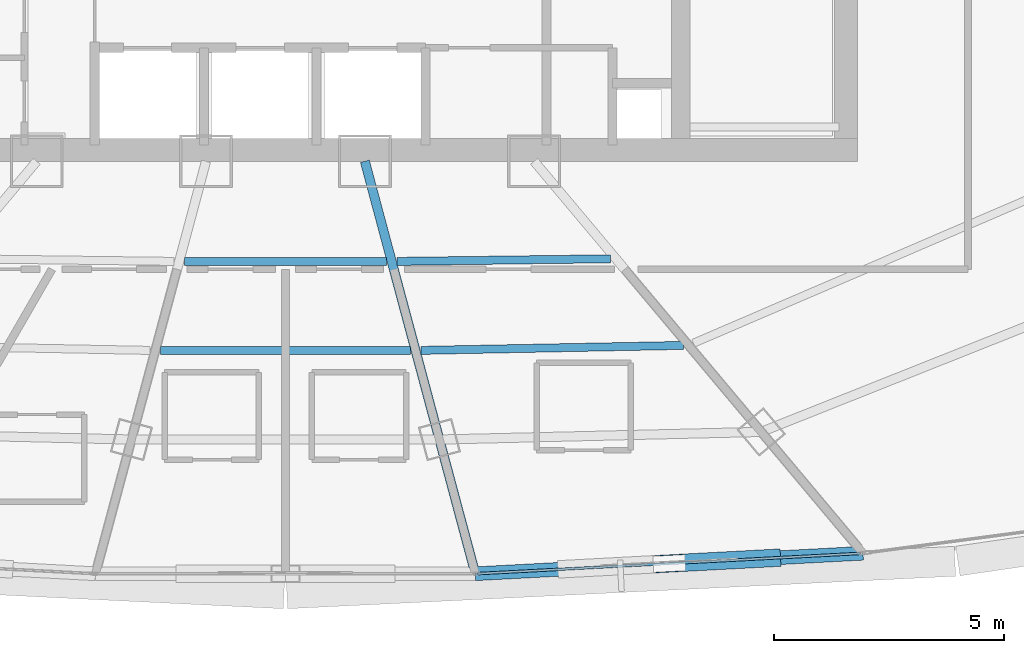
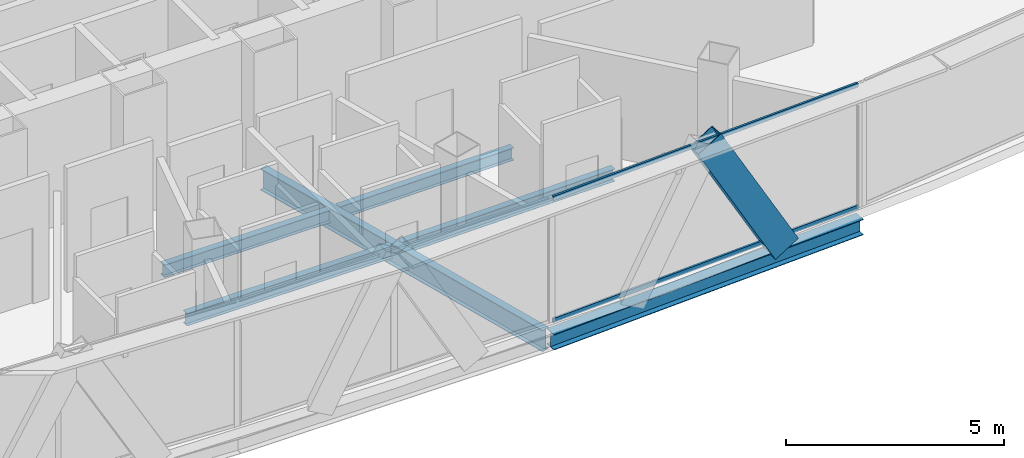
# One storey, part 11 of 37: 6 beams, 3 members, 1 element without a shape of its own.
"""IFC4 building model written with IfcOpenShell, lengths in metres."""

from ifc_helpers import new_model, si_unit, direction, frame, origin, origin_2d, place, context, subcontext, project, spatial, hollow_rectangle, i_section, extrude, source, transform, mapped, material, layer, layer_set, material_profile, profile_set, type_object, element, aggregate, save


model = new_model("IFC4")

# Units and contexts
model_context = context("Model", 3, precision=1e-05, world=origin(), true_north=direction((0.0, 1.0)))
body_context = subcontext(model_context, "Body", "Model", "MODEL_VIEW")
ifc_project = project(units=[si_unit("LENGTHUNIT", "METRE"), si_unit("AREAUNIT", "SQUARE_METRE"), si_unit("VOLUMEUNIT", "CUBIC_METRE"), si_unit("PLANEANGLEUNIT", "RADIAN"), si_unit("MASSUNIT", "GRAM", prefix="KILO"), si_unit("THERMODYNAMICTEMPERATUREUNIT", "KELVIN"), si_unit("POWERUNIT", "WATT")], contexts=[model_context])

# Site, building, storey
site_placement = place(None, origin())
site = spatial("IfcSite", under=ifc_project, at=site_placement, CompositionType="ELEMENT")
building_placement = place(site_placement, origin())
building = spatial("IfcBuilding", under=site, at=building_placement, Name="Yunzhuo Pagoda Commons", CompositionType="ELEMENT")
storey_placement = place(building_placement, frame((0.0, 0.0, 277.56005859375)))
storey = spatial("IfcBuildingStorey", under=building, at=storey_placement, Name="L69", CompositionType="ELEMENT", Elevation=277.56005859375)

# Beams
ifc_material_1 = material(Name="Structural steel Q355B", Category="steel")
ifc_material_profile_1 = material_profile(ifc_material_1, i_section(OverallWidth=0.300048828125, OverallDepth=0.43994140625, WebThickness=0.010986328125, FlangeThickness=0.01806640625, at=origin_2d()), Name="Structural steel Q355B")
ifc_profile_set_1 = profile_set([ifc_material_profile_1], Name="Structural steel Q355B")
beam_type_1 = type_object("IfcBeamType", Name="B-SP2 Beam HM 440x300x11x18", PredefinedType="BEAM", material=ifc_profile_set_1)
shared_shape_1 = source(origin(), body_context, "Body", "SweptSolid", [
    extrude(i_section(OverallWidth=0.300048828125, OverallDepth=0.43994140625, WebThickness=0.010986328125, FlangeThickness=0.01806640625, at=origin_2d()), origin(), (0.0, 0.0, 1.0), 8.447509765625),
])
beam_1_placement = place(storey_placement, frame((52.133056640625, 18.275390625, -0.47998046875), z_axis=(0.998606549518, 0.052772713206, 0.0), x_axis=(-0.052772713206, 0.998606549518, 0.0)))
element("IfcBeam", 1, at=beam_1_placement, inside=storey, type_object=beam_type_1, Name="L69 facade edge spandrel beam F1.3", PredefinedType="BEAM", context=body_context, shape_type="MappedRepresentation", body=[
    mapped(shared_shape_1, transform((0.0, 0.0, 0.0), scale=1.0)),
])
ifc_material_profile_2 = material_profile(ifc_material_1, i_section(OverallWidth=0.199951171875, OverallDepth=0.60009765625, WebThickness=0.010986328125, FlangeThickness=0.01708984375, at=origin_2d()), Name="Structural steel Q355B")
ifc_profile_set_2 = profile_set([ifc_material_profile_2], Name="Structural steel Q355B")
beam_type_2 = type_object("IfcBeamType", Name="B-RG3 Beam HN 600x200x11x17", PredefinedType="BEAM", material=ifc_profile_set_2)
shared_shape_2 = source(origin(), body_context, "Body", "SweptSolid", [
    extrude(i_section(OverallWidth=0.199951171875, OverallDepth=0.60009765625, WebThickness=0.010986328125, FlangeThickness=0.01708984375, at=origin_2d()), origin(), (0.0, 0.0, 1.0), 9.136474609375),
])
beam_2_placement = place(storey_placement, frame((52.093017578125, 18.4248046875, -0.56005859375), z_axis=(-0.258798416467, 0.965931353479, 0.0), x_axis=(-0.965931353479, -0.258798416467, 0.0)))
element("IfcBeam", 2, at=beam_2_placement, inside=storey, type_object=beam_type_2, Name="L69 radial floor girder F1C3", PredefinedType="BEAM", context=body_context, shape_type="MappedRepresentation", body=[
    mapped(shared_shape_2, transform((0.0, 0.0, 0.0), scale=1.0)),
])
ifc_material_profile_3 = material_profile(ifc_material_1, i_section(OverallWidth=0.175048828125, OverallDepth=0.35009765625, WebThickness=0.007080078125, FlangeThickness=0.010986328125, at=origin_2d()), Name="Structural steel Q355B")
ifc_profile_set_3 = profile_set([ifc_material_profile_3], Name="Structural steel Q355B")
beam_type_3 = type_object("IfcBeamType", Name="B-JS2 Joist HN 350x175x7x11", PredefinedType="JOIST", material=ifc_profile_set_3)
shared_shape_3 = source(origin(), body_context, "Body", "SweptSolid", [
    extrude(i_section(OverallWidth=0.175048828125, OverallDepth=0.35009765625, WebThickness=0.007080078125, FlangeThickness=0.010986328125, at=origin_2d()), origin(), (0.0, 0.0, 1.0), 4.64892578125),
])
beam_3_placement = place(storey_placement, frame((50.42724609375, 25.07177734375, -0.43505859375), z_axis=(0.999924495467, 0.012288342626, 0.0), x_axis=(-0.012288342626, 0.999924495467, 0.0)))
element("IfcBeam", 3, at=beam_3_placement, inside=storey, type_object=beam_type_3, Name="L69 composite ring joist 1.3", PredefinedType="JOIST", context=body_context, shape_type="MappedRepresentation", body=[
    mapped(shared_shape_3, transform((0.0, 0.0, 0.0), scale=1.0)),
])
shared_shape_4 = source(origin(), body_context, "Body", "SweptSolid", [
    extrude(i_section(OverallWidth=0.175048828125, OverallDepth=0.35009765625, WebThickness=0.007080078125, FlangeThickness=0.010986328125, at=origin_2d()), origin(), (0.0, 0.0, 1.0), 5.711669921875),
])
beam_4_placement = place(storey_placement, frame((50.9462890625, 23.135009765625, -0.43505859375), z_axis=(0.999819084998, 0.019020969297, 0.0), x_axis=(-0.019020969297, 0.999819084998, 0.0)))
element("IfcBeam", 4, at=beam_4_placement, inside=storey, type_object=beam_type_3, Name="L69 composite ring joist 2.3", PredefinedType="JOIST", context=body_context, shape_type="MappedRepresentation", body=[
    mapped(shared_shape_4, transform((0.0, 0.0, 0.0), scale=1.0)),
])
shared_shape_5 = source(origin(), body_context, "Body", "SweptSolid", [
    extrude(i_section(OverallWidth=0.175048828125, OverallDepth=0.35009765625, WebThickness=0.007080078125, FlangeThickness=0.010986328125, at=origin_2d()), origin(), (0.0, 0.0, 1.0), 4.39453125),
])
beam_5_placement = place(storey_placement, frame((45.802734375, 25.070556640625, -0.43505859375), z_axis=(1.0, 0.0, 0.0), x_axis=(0.0, 1.0, 0.0)))
element("IfcBeam", 5, at=beam_5_placement, inside=storey, type_object=beam_type_3, Name="L69 composite ring joist 1.2", PredefinedType="JOIST", context=body_context, shape_type="MappedRepresentation", body=[
    mapped(shared_shape_5, transform((0.0, 0.0, 0.0), scale=1.0)),
])
shared_shape_6 = source(origin(), body_context, "Body", "SweptSolid", [
    extrude(i_section(OverallWidth=0.175048828125, OverallDepth=0.35009765625, WebThickness=0.007080078125, FlangeThickness=0.010986328125, at=origin_2d()), origin(), (0.0, 0.0, 1.0), 5.43310546875),
])
beam_6_placement = place(storey_placement, frame((45.283447265625, 23.133056640625, -0.43505859375), z_axis=(1.0, 0.0, 0.0), x_axis=(0.0, 1.0, 0.0)))
element("IfcBeam", 6, at=beam_6_placement, inside=storey, type_object=beam_type_3, Name="L69 composite ring joist 2.2", PredefinedType="JOIST", context=body_context, shape_type="MappedRepresentation", body=[
    mapped(shared_shape_6, transform((0.0, 0.0, 0.0), scale=1.0)),
])

# Member
ifc_material_profile_4 = material_profile(ifc_material_1, hollow_rectangle(XDim=0.3798828125, YDim=0.719970703125, WallThickness=0.02001953125, at=origin_2d()), Name="Structural steel Q355B")
ifc_profile_set_4 = profile_set([ifc_material_profile_4], Name="Structural steel Q355B")
member_type_1 = type_object("IfcMemberType", Name="M-DL3 Brace BOX 720x380x20", PredefinedType="BRACE", material=ifc_profile_set_4)
shared_shape_7 = source(origin(), body_context, "Body", "SweptSolid", [
    extrude(hollow_rectangle(XDim=0.3798828125, YDim=0.719970703125, WallThickness=0.02001953125, at=origin_2d()), origin(), (0.0, 0.0, 1.0), 4.286376953125),
])
member_1_placement = place(storey_placement, frame((58.459716796875, 18.609619140625, -0.260009765625), z_axis=(-0.492003866462, -0.025972882971, 0.870205495694), x_axis=(0.052716593913, -0.998609513637, 0.0)))
element("IfcMember", 7, at=member_1_placement, inside=storey, type_object=member_type_1, Name="L69 facade diamond brace F1.3R", PredefinedType="BRACE", context=body_context, shape_type="MappedRepresentation", body=[
    mapped(shared_shape_7, transform((0.0, 0.0, 0.0), scale=1.0)),
])

# Curtain wall, members
ifc_material_2 = material(Name="Anodized aluminium 6063-T6", Category="aluminium")
ifc_layer = layer(ifc_material_2, 0.139892578125)
ifc_layer_set = layer_set([ifc_layer], Name="Anodized aluminium 6063-T6")
curtain_wall_type = type_object("IfcCurtainWallType", Name="CW-HI High-Zone Ribbon Curtain Wall", PredefinedType="NOTDEFINED", material=ifc_layer_set)
curtain_wall_placement = place(storey_placement, origin())
curtain_wall = element("IfcCurtainWall", 8, at=curtain_wall_placement, inside=storey, type_object=curtain_wall_type, Name="L69 curtain wall CW-L69-F1B4", PredefinedType="NOTDEFINED")
ifc_material_profile_5 = material_profile(ifc_material_2, hollow_rectangle(XDim=0.054931640625, YDim=0.1201171875, WallThickness=0.00341796875, at=origin_2d()), Name="Anodized aluminium 6063-T6")
ifc_profile_set_5 = profile_set([ifc_material_profile_5], Name="Anodized aluminium 6063-T6")
member_type_2 = type_object("IfcMemberType", Name="CW-HI-T Transom RHS 120x55x3.5", PredefinedType="USERDEFINED", material=ifc_profile_set_5)
shared_shape_8 = source(origin(), body_context, "Body", "SweptSolid", [
    extrude(hollow_rectangle(XDim=0.054931640625, YDim=0.1201171875, WallThickness=0.00341796875, at=origin_2d()), origin(), (0.0, 0.0, 1.0), 8.327392578125),
])
member_2_placement = place(storey_placement, frame((52.193115234375, 18.2783203125, 0.02734375), z_axis=(0.998605003422, 0.052801961515, 0.0), x_axis=(-0.052801961515, 0.998605003422, 0.0)))
member_2 = element("IfcMember", 9, at=member_2_placement, type_object=member_type_2, Name="CW transom 1.1", ObjectType="TRANSOM", PredefinedType="USERDEFINED", context=body_context, shape_type="MappedRepresentation", body=[
    mapped(shared_shape_8, transform((0.0, 0.0, 0.0), scale=1.0)),
])
member_3_placement = place(storey_placement, frame((52.193115234375, 18.2783203125, 3.4423828125), z_axis=(0.998605003422, 0.052801961515, 0.0), x_axis=(-0.052801961515, 0.998605003422, 0.0)))
member_3 = element("IfcMember", 10, at=member_3_placement, type_object=member_type_2, Name="CW transom 1.2", ObjectType="TRANSOM", PredefinedType="USERDEFINED", context=body_context, shape_type="MappedRepresentation", body=[
    mapped(shared_shape_8, transform((0.0, 0.0, 0.0), scale=1.0)),
])
aggregate(curtain_wall, [member_2, member_3])

save(model, "model.ifc")
